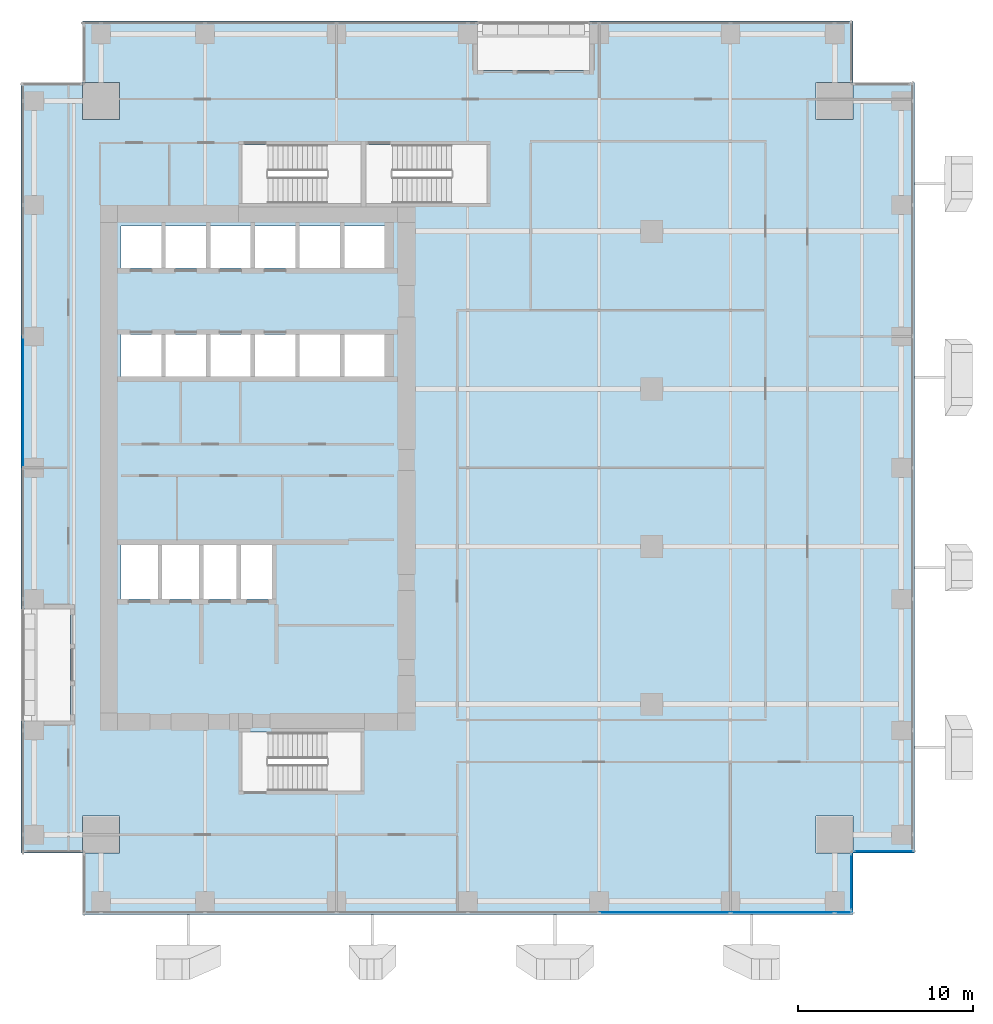
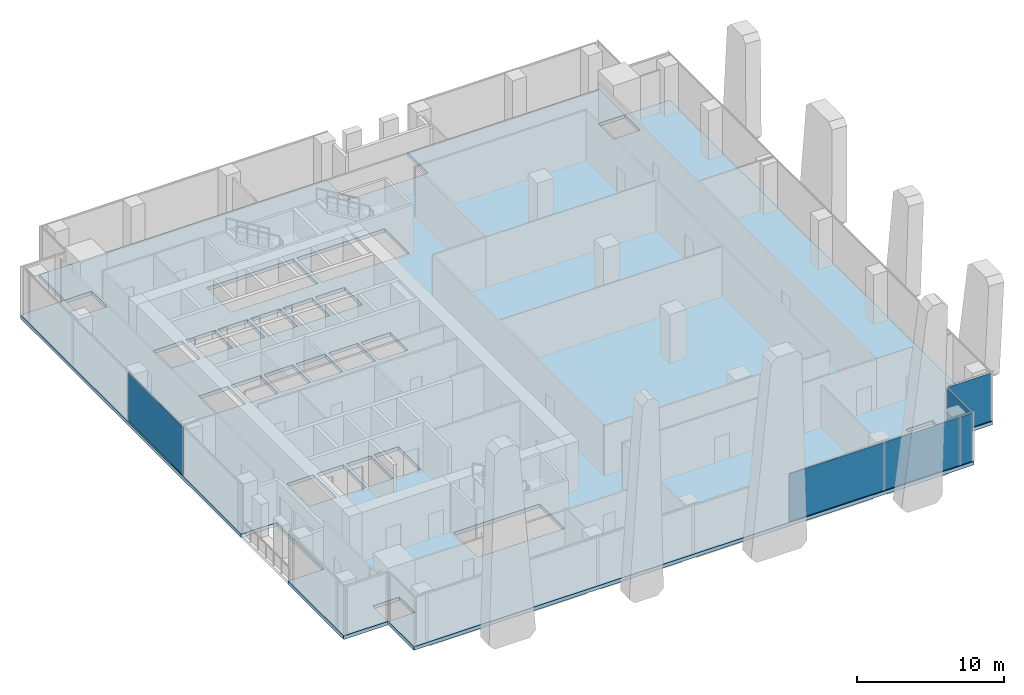
# One storey, part 24 of 35: 6 plates, 1 slab, 4 elements without a shape of their own.
"""IFC4 building model written with IfcOpenShell, lengths in metres."""

from ifc_helpers import new_model, si_unit, direction, frame, origin, origin_2d, place, context, subcontext, project, spatial, polyline, rectangle, outline, extrude, source, transform, mapped, material, layer, layer_set, type_object, element, aggregate, save


model = new_model("IFC4")

# Units and contexts
model_context = context("Model", 3, precision=1e-05, world=origin(), true_north=direction((0.0, 1.0)))
body_context = subcontext(model_context, "Body", "Model", "MODEL_VIEW")
ifc_project = project(units=[si_unit("LENGTHUNIT", "METRE"), si_unit("AREAUNIT", "SQUARE_METRE"), si_unit("VOLUMEUNIT", "CUBIC_METRE"), si_unit("PLANEANGLEUNIT", "RADIAN"), si_unit("MASSUNIT", "GRAM", prefix="KILO")], contexts=[model_context])

# Site, building, storey
site_placement = place(None, origin())
site = spatial("IfcSite", under=ifc_project, at=site_placement, CompositionType="ELEMENT")
building_placement = place(site_placement, origin())
building = spatial("IfcBuilding", under=site, at=building_placement, Name="Khomas Fold Tower", CompositionType="ELEMENT")
storey_placement = place(building_placement, frame((0.0, 0.0, 119.10009765625)))
storey = spatial("IfcBuildingStorey", under=building, at=storey_placement, Name="L25", CompositionType="ELEMENT", Elevation=119.10009765625)

# Slab
ifc_material_1 = material(Name="Concrete C40/50", Category="concrete")
ifc_layer_1 = layer(ifc_material_1, 0.300048828125)
ifc_layer_set_1 = layer_set([ifc_layer_1], Name="Concrete C40/50")
slab_type = type_object("IfcSlabType", Name="RC floor slab 300", PredefinedType="FLOOR", material=ifc_layer_set_1)
shared_shape_1 = source(origin(), body_context, "Body", "SweptSolid", [
    extrude(outline(polyline([(1.5, 5.0), (4.9951171875, 5.0), (4.9951171875, 7.10498046875), (7.10498046875, 7.10498046875), (7.10498046875, 4.9951171875), (5.0, 4.9951171875), (5.0, 1.5), (49.0, 1.5), (49.0, 4.9951171875), (46.89501953125, 4.9951171875), (46.89501953125, 7.10498046875), (49.0048828125, 7.10498046875), (49.0048828125, 5.0), (52.5, 5.0), (52.5, 49.0), (49.0048828125, 49.0), (49.0048828125, 46.89501953125), (46.89501953125, 46.89501953125), (46.89501953125, 49.0048828125), (49.0, 49.0048828125), (49.0, 52.5), (33.949951171875, 52.5), (33.949951171875, 49.699951171875), (27.550048828125, 49.699951171875), (27.550048828125, 52.5), (5.0, 52.5), (5.0, 49.0048828125), (7.10498046875, 49.0048828125), (7.10498046875, 46.89501953125), (4.9951171875, 46.89501953125), (4.9951171875, 49.0), (1.5, 49.0), (1.5, 18.949951171875), (4.300048828125, 18.949951171875), (4.300048828125, 12.550048828125), (1.5, 12.550048828125), (1.5, 5.0)]), holes=[polyline([(7.199951171875, 19.5), (7.199951171875, 22.60009765625), (9.300048828125, 22.60009765625), (9.300048828125, 19.5), (7.199951171875, 19.5)]), polyline([(7.199951171875, 32.199951171875), (7.199951171875, 34.60009765625), (9.5, 34.60009765625), (9.5, 32.199951171875), (7.199951171875, 32.199951171875)]), polyline([(7.199951171875, 38.39990234375), (7.199951171875, 40.800048828125), (9.5, 40.800048828125), (9.5, 38.39990234375), (7.199951171875, 38.39990234375)]), polyline([(9.550048828125, 19.5), (9.550048828125, 22.60009765625), (11.64990234375, 22.60009765625), (11.64990234375, 19.5), (9.550048828125, 19.5)]), polyline([(9.75, 32.199951171875), (9.75, 34.60009765625), (12.050048828125, 34.60009765625), (12.050048828125, 32.199951171875), (9.75, 32.199951171875)]), polyline([(9.75, 38.39990234375), (9.75, 40.800048828125), (12.050048828125, 40.800048828125), (12.050048828125, 38.39990234375), (9.75, 38.39990234375)]), polyline([(11.89990234375, 19.5), (11.89990234375, 22.60009765625), (13.800048828125, 22.60009765625), (13.800048828125, 19.5), (11.89990234375, 19.5)]), polyline([(12.300048828125, 32.199951171875), (12.300048828125, 34.60009765625), (14.60009765625, 34.60009765625), (14.60009765625, 32.199951171875), (12.300048828125, 32.199951171875)]), polyline([(12.300048828125, 38.39990234375), (12.300048828125, 40.800048828125), (14.60009765625, 40.800048828125), (14.60009765625, 38.39990234375), (12.300048828125, 38.39990234375)]), polyline([(14.050048828125, 19.5), (14.050048828125, 22.60009765625), (15.949951171875, 22.60009765625), (15.949951171875, 19.5), (14.050048828125, 19.5)]), polyline([(14.10009765625, 8.550048828125), (14.10009765625, 11.89990234375), (20.89990234375, 11.89990234375), (20.89990234375, 8.550048828125), (14.10009765625, 8.550048828125)]), polyline([(14.10009765625, 42.10009765625), (14.10009765625, 45.449951171875), (20.89990234375, 45.449951171875), (20.89990234375, 42.10009765625), (14.10009765625, 42.10009765625)]), polyline([(14.85009765625, 32.199951171875), (14.85009765625, 34.60009765625), (17.14990234375, 34.60009765625), (17.14990234375, 32.199951171875), (14.85009765625, 32.199951171875)]), polyline([(14.85009765625, 38.39990234375), (14.85009765625, 40.800048828125), (17.14990234375, 40.800048828125), (17.14990234375, 38.39990234375), (14.85009765625, 38.39990234375)]), polyline([(17.39990234375, 32.199951171875), (17.39990234375, 34.60009765625), (19.699951171875, 34.60009765625), (19.699951171875, 32.199951171875), (17.39990234375, 32.199951171875)]), polyline([(17.39990234375, 38.39990234375), (17.39990234375, 40.800048828125), (19.699951171875, 40.800048828125), (19.699951171875, 38.39990234375), (17.39990234375, 38.39990234375)]), polyline([(19.949951171875, 32.199951171875), (19.949951171875, 34.60009765625), (22.25, 34.60009765625), (22.25, 32.199951171875), (19.949951171875, 32.199951171875)]), polyline([(19.949951171875, 38.39990234375), (19.949951171875, 40.800048828125), (22.25, 40.800048828125), (22.25, 38.39990234375), (19.949951171875, 38.39990234375)]), polyline([(21.199951171875, 42.10009765625), (21.199951171875, 45.449951171875), (28.10009765625, 45.449951171875), (28.10009765625, 42.10009765625), (21.199951171875, 42.10009765625)])]), origin(), (0.0, 0.0, 1.0), 0.300048828125),
])
slab_placement = place(storey_placement, frame((0.0, 0.0, -0.300048828125)))
element("IfcSlab", 1, at=slab_placement, inside=storey, type_object=slab_type, Name="S-L25", PredefinedType="FLOOR", context=body_context, shape_type="MappedRepresentation", body=[
    mapped(shared_shape_1, transform((0.0, 0.0, 0.0))),
])

# Curtain wall, plates
ifc_material_2 = material(Name="Aluminium framed double glazing", Category="aluminium")
curtain_wall_type = type_object("IfcCurtainWallType", Name="SK-Unitised clear-glass wall, growing floors CW1", PredefinedType="NOTDEFINED", material=ifc_material_2)
curtain_wall_1_placement = place(storey_placement, origin())
curtain_wall_1 = element("IfcCurtainWall", 2, at=curtain_wall_1_placement, inside=storey, type_object=curtain_wall_type, Name="CW1 run L25 00-0", PredefinedType="NOTDEFINED")
ifc_material_3 = material(Name="Clear double glazed unit")
ifc_layer_2 = layer(ifc_material_3, 0.031982421875)
ifc_layer_set_2 = layer_set([ifc_layer_2], Name="Clear double glazed unit")
plate_type = type_object("IfcPlateType", Name="SK-Unitised clear-glass wall, growing floors glass panel CW1-P", PredefinedType="CURTAIN_PANEL", material=ifc_layer_set_2)
shared_shape_2 = source(origin(), body_context, "Body", "SweptSolid", [
    extrude(rectangle(XDim=5.889892578125, YDim=0.031982421875, at=origin_2d()), origin(), (0.0, 0.0, 1.0), 3.97998046875),
])
plate_1_placement = place(storey_placement, frame((44.97509765625, 1.60009765625, 0.0), z_axis=(0.0, 0.0, 1.0), x_axis=(1.0, 0.0, 0.0)))
plate_1 = element("IfcPlate", 3, at=plate_1_placement, type_object=plate_type, Name="CW1 glass panel 7", PredefinedType="CURTAIN_PANEL", context=body_context, shape_type="MappedRepresentation", body=[
    mapped(shared_shape_2, transform((0.0, 0.0, 0.0))),
])
shared_shape_3 = source(origin(), body_context, "Body", "SweptSolid", [
    extrude(rectangle(XDim=7.43994140625, YDim=0.031982421875, at=origin_2d()), origin(), (0.0, 0.0, 1.0), 3.97998046875),
])
plate_2_placement = place(storey_placement, frame((38.25, 1.60009765625, 0.0), z_axis=(0.0, 0.0, 1.0), x_axis=(1.0, 0.0, 0.0)))
plate_2 = element("IfcPlate", 4, at=plate_2_placement, type_object=plate_type, Name="CW1 glass panel 6", PredefinedType="CURTAIN_PANEL", context=body_context, shape_type="MappedRepresentation", body=[
    mapped(shared_shape_3, transform((0.0, 0.0, 0.0))),
])

# Curtain wall, plate
curtain_wall_2_placement = place(storey_placement, origin())
curtain_wall_2 = element("IfcCurtainWall", 5, at=curtain_wall_2_placement, inside=storey, type_object=curtain_wall_type, Name="CW1 run L25 09-0", PredefinedType="NOTDEFINED")
plate_3_placement = place(storey_placement, frame((1.60009765625, 30.75, 0.0), z_axis=(0.0, 0.0, 1.0), x_axis=(0.0, -1.0, 0.0)))
plate_3 = element("IfcPlate", 6, at=plate_3_placement, type_object=plate_type, Name="CW1 glass panel 4", PredefinedType="CURTAIN_PANEL", context=body_context, shape_type="MappedRepresentation", body=[
    mapped(shared_shape_3, transform((0.0, 0.0, 0.0))),
])
aggregate(curtain_wall_2, [plate_3])

# Plate
shared_shape_4 = source(origin(), body_context, "Body", "SweptSolid", [
    extrude(rectangle(XDim=0.9599609375, YDim=0.031982421875, at=origin_2d()), origin(), (0.0, 0.0, 1.0), 3.97998046875),
])
plate_4_placement = place(storey_placement, frame((48.4599609375, 1.60009765625, 0.0), z_axis=(0.0, 0.0, 1.0), x_axis=(1.0, 0.0, 0.0)))
plate_4 = element("IfcPlate", 7, at=plate_4_placement, type_object=plate_type, Name="CW1 glass panel 8", PredefinedType="CURTAIN_PANEL", context=body_context, shape_type="MappedRepresentation", body=[
    mapped(shared_shape_4, transform((0.0, 0.0, 0.0))),
])

aggregate(curtain_wall_1, [plate_2, plate_1, plate_4])

# Curtain wall, plate
curtain_wall_3_placement = place(storey_placement, origin())
curtain_wall_3 = element("IfcCurtainWall", 8, at=curtain_wall_3_placement, inside=storey, type_object=curtain_wall_type, Name="CW1 corner return L25 01", PredefinedType="NOTDEFINED")
shared_shape_5 = source(origin(), body_context, "Body", "SweptSolid", [
    extrude(rectangle(XDim=3.179931640625, YDim=0.031982421875, at=origin_2d()), origin(), (0.0, 0.0, 1.0), 3.97998046875),
])
plate_5_placement = place(storey_placement, frame((48.89990234375, 3.35009765625, 0.0), z_axis=(0.0, 0.0, 1.0), x_axis=(0.0, 1.0, 0.0)))
plate_5 = element("IfcPlate", 9, at=plate_5_placement, type_object=plate_type, Name="CW1 glass panel 1", PredefinedType="CURTAIN_PANEL", context=body_context, shape_type="MappedRepresentation", body=[
    mapped(shared_shape_5, transform((0.0, 0.0, 0.0))),
])
aggregate(curtain_wall_3, [plate_5])

curtain_wall_4_placement = place(storey_placement, origin())
curtain_wall_4 = element("IfcCurtainWall", 10, at=curtain_wall_4_placement, inside=storey, type_object=curtain_wall_type, Name="CW1 corner return L25 02", PredefinedType="NOTDEFINED")
shared_shape_6 = source(origin(), body_context, "Body", "SweptSolid", [
    extrude(rectangle(XDim=3.3798828125, YDim=0.031982421875, at=origin_2d()), origin(), (0.0, 0.0, 1.0), 3.97998046875),
])
plate_6_placement = place(storey_placement, frame((50.75, 5.10009765625, 0.0), z_axis=(0.0, 0.0, 1.0), x_axis=(1.0, 0.0, 0.0)))
plate_6 = element("IfcPlate", 11, at=plate_6_placement, type_object=plate_type, Name="CW1 glass panel 1", PredefinedType="CURTAIN_PANEL", context=body_context, shape_type="MappedRepresentation", body=[
    mapped(shared_shape_6, transform((0.0, 0.0, 0.0))),
])
aggregate(curtain_wall_4, [plate_6])

save(model, "model.ifc")
